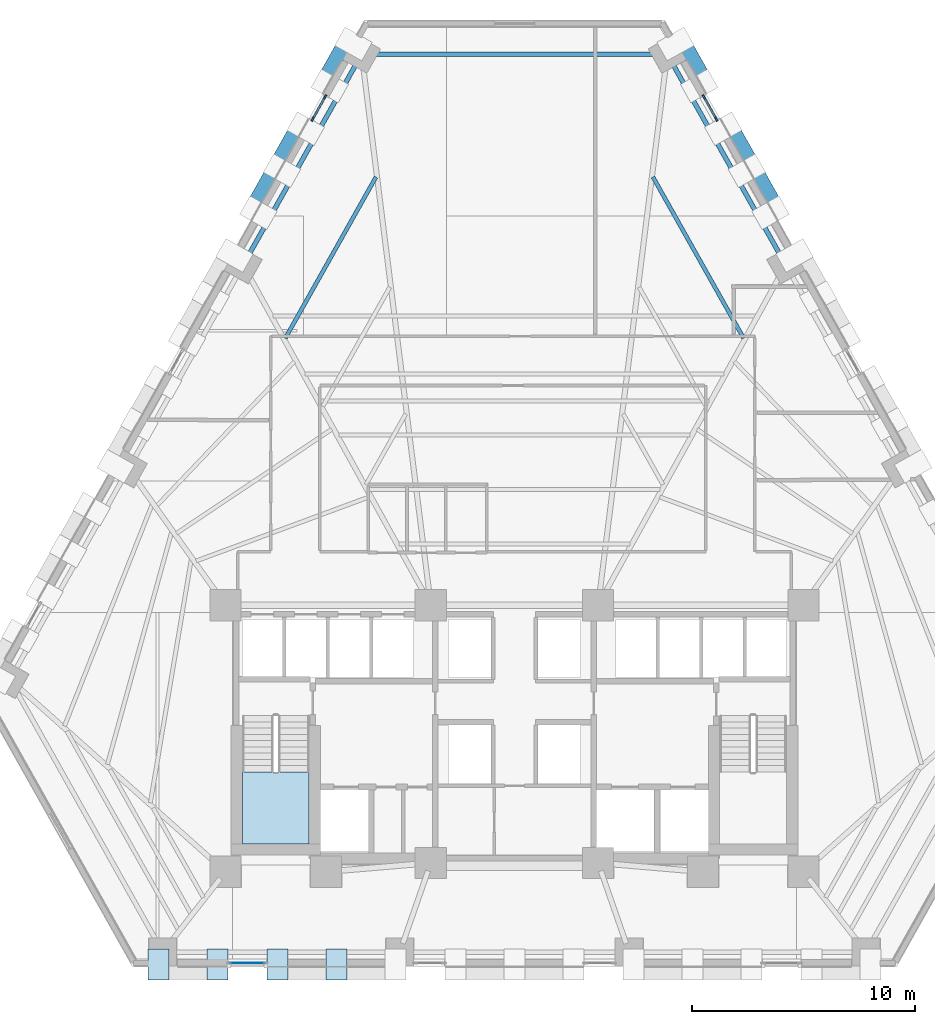
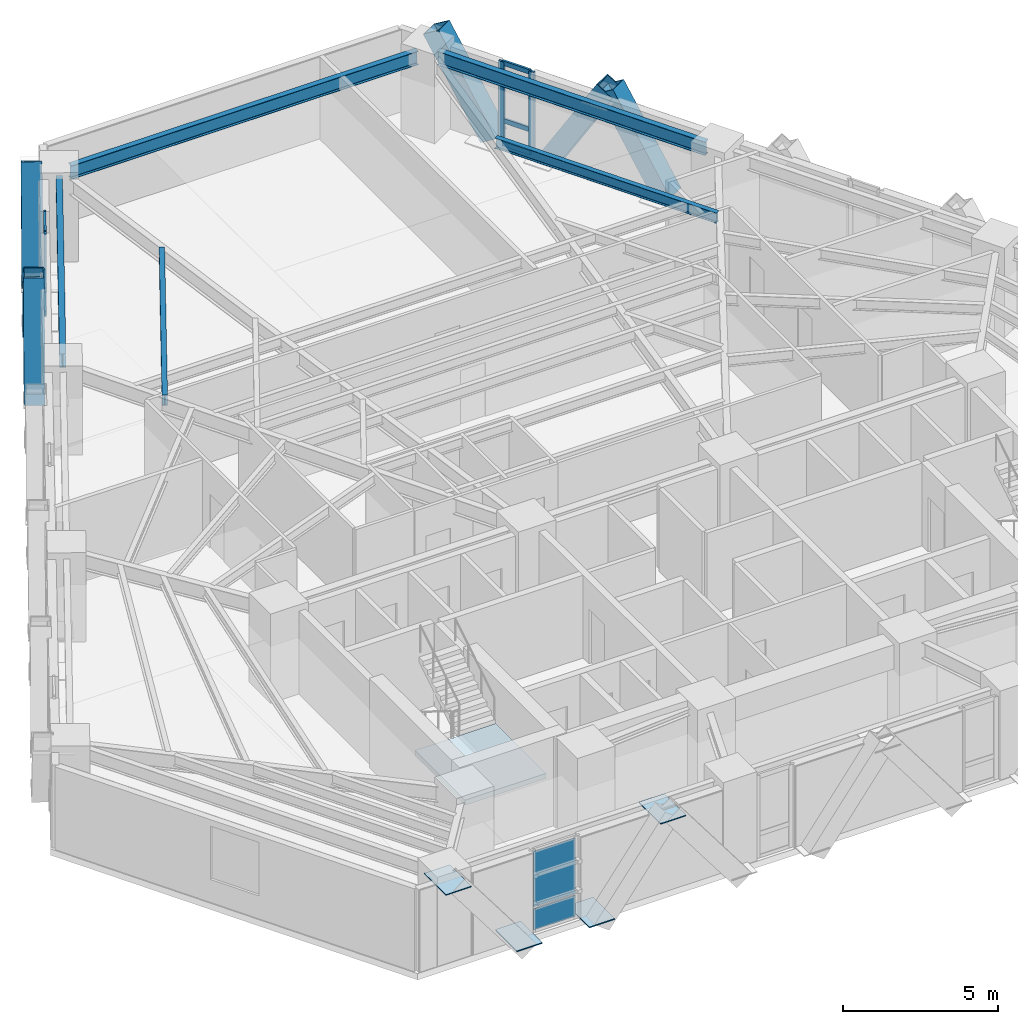
# One storey, part 5 of 13: 16 members, 6 plates, 5 beams, 1 slab, 4 elements without a shape of their own.
"""IFC4 building model written with IfcOpenShell, lengths in metres."""

from ifc_helpers import new_model, si_unit, direction, frame, origin, origin_2d, place, context, subcontext, project, spatial, polyline, rectangle, hollow_rectangle, i_section, outline, extrude, material, layer, layer_set, material_profile, profile_set, type_object, element, aggregate, save


model = new_model("IFC4")

# Units and contexts
model_context = context("Model", 3, precision=1e-05, world=origin(), true_north=direction((0.0, 1.0)))
body_context = subcontext(model_context, "Body", "Model", "MODEL_VIEW")
ifc_project = project(units=[si_unit("LENGTHUNIT", "METRE"), si_unit("AREAUNIT", "SQUARE_METRE"), si_unit("VOLUMEUNIT", "CUBIC_METRE"), si_unit("PLANEANGLEUNIT", "RADIAN"), si_unit("MASSUNIT", "GRAM", prefix="KILO")], contexts=[model_context])

# Site, building, storey
site_placement = place(None, origin())
site = spatial("IfcSite", under=ifc_project, at=site_placement, CompositionType="ELEMENT")
building_placement = place(site_placement, origin())
building = spatial("IfcBuilding", under=site, at=building_placement, Name="Quenlor Broadcast Tower", CompositionType="ELEMENT")
storey_placement = place(building_placement, frame((0.0, 0.0, 45.10009765625)))
storey = spatial("IfcBuildingStorey", under=building, at=storey_placement, Name="L11", CompositionType="ELEMENT", Elevation=45.10009765625)

# Curtain wall, members
ifc_material_1 = material(Name="Architectural Terracotta and Low-E Glazing", Category="masonry")
curtain_wall_type = type_object("IfcCurtainWallType", Name="Unitised Terracotta Curtain Wall System Z1", PredefinedType="NOTDEFINED", material=ifc_material_1)
curtain_wall_1_placement = place(storey_placement, origin())
curtain_wall_1 = element("IfcCurtainWall", 1, at=curtain_wall_1_placement, inside=storey, type_object=curtain_wall_type, Name="L11 Curtain Wall CW1 (L11-NEA-G1)", PredefinedType="NOTDEFINED")
ifc_material_2 = material(Name="Aluminium 6063-T6", Category="aluminium")
ifc_material_profile_1 = material_profile(ifc_material_2, rectangle(XDim=0.080078125, YDim=0.219970703125, at=origin_2d()))
ifc_profile_set_1 = profile_set([ifc_material_profile_1], Name="Aluminium 6063-T6 MULL80x220")
member_type_1 = type_object("IfcMemberType", Name="CW1 Aluminium Mullion MULL_CW1", PredefinedType="MULLION", material=ifc_profile_set_1)
member_1_placement = place(storey_placement, frame((8.49072265625, 17.979248046875, 0.0), z_axis=(0.0, 0.0, 1.0), x_axis=(0.871602077703, 0.490214053392, 0.0)))
member_1 = element("IfcMember", 2, at=member_1_placement, type_object=member_type_1, Name="CW1 mullion 1", PredefinedType="MULLION", context=body_context, shape_type="SweptSolid", body=[
    extrude(rectangle(XDim=0.080078125, YDim=0.219970703125, at=origin_2d()), origin(), (0.0, 0.0, 1.0), 3.25),
])
member_2_placement = place(storey_placement, frame((9.043212890625, 16.99658203125, 0.0), z_axis=(0.0, 0.0, 1.0), x_axis=(0.871602077703, 0.490214053392, 0.0)))
member_2 = element("IfcMember", 3, at=member_2_placement, type_object=member_type_1, Name="CW1 mullion 2", PredefinedType="MULLION", context=body_context, shape_type="SweptSolid", body=[
    extrude(rectangle(XDim=0.080078125, YDim=0.219970703125, at=origin_2d()), origin(), (0.0, 0.0, 1.0), 3.25),
])

curtain_wall_2_placement = place(storey_placement, origin())
curtain_wall_2 = element("IfcCurtainWall", 4, at=curtain_wall_2_placement, inside=storey, type_object=curtain_wall_type, Name="L11 Curtain Wall CW1 (L11-NWC-G1)", PredefinedType="NOTDEFINED")
member_3_placement = place(storey_placement, frame((-9.043212890625, 16.99658203125, 0.0), z_axis=(0.0, 0.0, 1.0), x_axis=(-0.871602077703, 0.490214053392, 0.0)))
member_3 = element("IfcMember", 5, at=member_3_placement, type_object=member_type_1, Name="CW1 mullion 1", PredefinedType="MULLION", context=body_context, shape_type="SweptSolid", body=[
    extrude(rectangle(XDim=0.080078125, YDim=0.219970703125, at=origin_2d()), origin(), (0.0, 0.0, 1.0), 3.25),
])
member_4_placement = place(storey_placement, frame((-8.49072265625, 17.979248046875, 0.0), z_axis=(0.0, 0.0, 1.0), x_axis=(-0.871602077703, 0.490214053392, 0.0)))
member_4 = element("IfcMember", 6, at=member_4_placement, type_object=member_type_1, Name="CW1 mullion 2", PredefinedType="MULLION", context=body_context, shape_type="SweptSolid", body=[
    extrude(rectangle(XDim=0.080078125, YDim=0.219970703125, at=origin_2d()), origin(), (0.0, 0.0, 1.0), 3.25),
])

# Member
ifc_material_3 = material(Name="Aluminium 6063-T6", Category="aluminium")
ifc_material_profile_2 = material_profile(ifc_material_3, rectangle(XDim=0.080078125, YDim=0.179931640625, at=origin_2d()))
ifc_profile_set_2 = profile_set([ifc_material_profile_2], Name="Aluminium 6063-T6 TRAN80x180")
member_type_2 = type_object("IfcMemberType", Name="CW1 Aluminium Transom TRAN_CW1", PredefinedType="USERDEFINED", material=ifc_profile_set_2)
member_5_placement = place(storey_placement, frame((8.51025390625, 17.9443359375, 0.039794921875), z_axis=(0.490228036821, -0.871594212874, 0.0), x_axis=(0.871594212874, 0.490228036821, 0.0)))
member_5 = element("IfcMember", 7, at=member_5_placement, type_object=member_type_2, Name="CW1 transom 1.1", ObjectType="TRANSOM", PredefinedType="USERDEFINED", context=body_context, shape_type="SweptSolid", body=[
    extrude(rectangle(XDim=0.080078125, YDim=0.179931640625, at=origin_2d()), origin(), (0.0, 0.0, 1.0), 1.04736328125),
])

member_6_placement = place(storey_placement, frame((8.51025390625, 17.9443359375, 0.949951171875), z_axis=(0.490228036821, -0.871594212874, 0.0), x_axis=(0.871594212874, 0.490228036821, 0.0)))
member_6 = element("IfcMember", 8, at=member_6_placement, type_object=member_type_2, Name="CW1 transom 1.2", ObjectType="TRANSOM", PredefinedType="USERDEFINED", context=body_context, shape_type="SweptSolid", body=[
    extrude(rectangle(XDim=0.080078125, YDim=0.179931640625, at=origin_2d()), origin(), (0.0, 0.0, 1.0), 1.04736328125),
])

member_7_placement = place(storey_placement, frame((8.51025390625, 17.9443359375, 3.2099609375), z_axis=(0.490228036821, -0.871594212874, 0.0), x_axis=(0.871594212874, 0.490228036821, 0.0)))
member_7 = element("IfcMember", 9, at=member_7_placement, type_object=member_type_2, Name="CW1 transom 1.3", ObjectType="TRANSOM", PredefinedType="USERDEFINED", context=body_context, shape_type="SweptSolid", body=[
    extrude(rectangle(XDim=0.080078125, YDim=0.179931640625, at=origin_2d()), origin(), (0.0, 0.0, 1.0), 1.04736328125),
])

aggregate(curtain_wall_1, [member_1, member_2, member_5, member_6, member_7])

member_8_placement = place(storey_placement, frame((-9.023681640625, 17.031494140625, 0.039794921875), z_axis=(0.490228036821, 0.871594212874, 0.0), x_axis=(-0.871594212874, 0.490228036821, 0.0)))
member_8 = element("IfcMember", 10, at=member_8_placement, type_object=member_type_2, Name="CW1 transom 1.1", ObjectType="TRANSOM", PredefinedType="USERDEFINED", context=body_context, shape_type="SweptSolid", body=[
    extrude(rectangle(XDim=0.080078125, YDim=0.179931640625, at=origin_2d()), origin(), (0.0, 0.0, 1.0), 1.04736328125),
])

member_9_placement = place(storey_placement, frame((-9.023681640625, 17.031494140625, 0.949951171875), z_axis=(0.490228036821, 0.871594212874, 0.0), x_axis=(-0.871594212874, 0.490228036821, 0.0)))
member_9 = element("IfcMember", 11, at=member_9_placement, type_object=member_type_2, Name="CW1 transom 1.2", ObjectType="TRANSOM", PredefinedType="USERDEFINED", context=body_context, shape_type="SweptSolid", body=[
    extrude(rectangle(XDim=0.080078125, YDim=0.179931640625, at=origin_2d()), origin(), (0.0, 0.0, 1.0), 1.04736328125),
])

member_10_placement = place(storey_placement, frame((-9.023681640625, 17.031494140625, 3.2099609375), z_axis=(0.490228036821, 0.871594212874, 0.0), x_axis=(-0.871594212874, 0.490228036821, 0.0)))
member_10 = element("IfcMember", 12, at=member_10_placement, type_object=member_type_2, Name="CW1 transom 1.3", ObjectType="TRANSOM", PredefinedType="USERDEFINED", context=body_context, shape_type="SweptSolid", body=[
    extrude(rectangle(XDim=0.080078125, YDim=0.179931640625, at=origin_2d()), origin(), (0.0, 0.0, 1.0), 1.04736328125),
])

aggregate(curtain_wall_2, [member_3, member_4, member_8, member_9, member_10])

# Members
ifc_material_4 = material(Name="Steel S355", Category="steel")
ifc_material_profile_3 = material_profile(ifc_material_4, hollow_rectangle(XDim=0.679931640625, YDim=0.679931640625, WallThickness=0.034912109375, at=origin_2d()))
ifc_profile_set_3 = profile_set([ifc_material_profile_3], Name="Steel S355 RHS680x680x35")
member_type_3 = type_object("IfcMemberType", Name="Perimeter Diagonal Lattice Brace Z1 Steel S355 RHS680x35", PredefinedType="BRACE", material=ifc_profile_set_3)
for number, where, z_axis, x_axis, name in (
    (13, (9.650390625, 16.722900390625, -0.1201171875), (0.256375341489, -0.45579159737, 0.852364771705), (0.871581609758, 0.490250443683, 0.0), "L11 Perimeter Diamond Lattice NE-C1S"),
    (14, (8.572021484375, 18.64013671875, -0.1201171875), (-0.256375341489, 0.45579159737, 0.852364771705), (-0.871581609758, -0.490250443683, 0.0), "L11 Perimeter Diamond Lattice NE-C1B"),
    (15, (11.768798828125, 12.95703125, -0.1201171875), (-0.256375341489, 0.45579159737, 0.852364771705), (-0.871581609758, -0.490250443683, 0.0), "L11 Perimeter Diamond Lattice NE-C2B"),
    (16, (-11.768798828125, 12.95703125, -0.1201171875), (0.256375341489, 0.45579159737, 0.852364771705), (-0.871581609758, 0.490250443683, 0.0), "L11 Perimeter Diamond Lattice NW-C4S"),
    (17, (-8.572021484375, 18.64013671875, -0.1201171875), (0.256375341489, 0.45579159737, 0.852364771705), (-0.871581609758, 0.490250443683, 0.0), "L11 Perimeter Diamond Lattice NW-C5S"),
    (18, (-9.650390625, 16.722900390625, -0.1201171875), (-0.256375341489, -0.45579159737, 0.852364771705), (0.871581609758, -0.490250443683, 0.0), "L11 Perimeter Diamond Lattice NW-C5B"),
):
    element("IfcMember", number, at=place(storey_placement, frame(where, z_axis=z_axis, x_axis=x_axis)), inside=storey, type_object=member_type_3, Name=name, PredefinedType="BRACE", context=body_context, shape_type="SweptSolid", body=[
        extrude(hollow_rectangle(XDim=0.679931640625, YDim=0.679931640625, WallThickness=0.034912109375, at=origin_2d()), origin(), (0.0, 0.0, 1.0), 4.106201171875),
    ])

# Beams
ifc_material_5 = material(Name="Steel S355", Category="steel")
ifc_material_profile_4 = material_profile(ifc_material_5, i_section(OverallWidth=0.208984375, OverallDepth=0.532958984375, WebThickness=0.01025390625, FlangeThickness=0.015625, FilletRadius=0.013916015625, at=origin_2d()))
ifc_profile_set_4 = profile_set([ifc_material_profile_4], Name="Steel S355 530UB92.4")
beam_type_1 = type_object("IfcBeamType", Name="Perimeter Spandrel Beam Z1 Steel S355 530UB92.4", PredefinedType="SPANDREL", material=ifc_profile_set_4)
beam_1_placement = place(storey_placement, frame((11.962158203125, 10.80810546875, 2.9833984375), z_axis=(-0.490257767622, 0.871577490121, 0.0), x_axis=(-0.871577490121, -0.490257767622, 0.0)))
element("IfcBeam", 19, at=beam_1_placement, inside=storey, type_object=beam_type_1, Name="L11 Spandrel Beam NE3-NE4", PredefinedType="SPANDREL", context=body_context, shape_type="SweptSolid", body=[
    extrude(i_section(OverallWidth=0.208984375, OverallDepth=0.532958984375, WebThickness=0.01025390625, FlangeThickness=0.015625, FilletRadius=0.013916015625, at=origin_2d()), origin(), (0.0, 0.0, 1.0), 10.015380859375),
])
beam_2_placement = place(storey_placement, frame((6.44091796875, 19.894775390625, 2.9833984375), z_axis=(-1.0, 0.0, 0.0), x_axis=(0.0, -1.0, 0.0)))
element("IfcBeam", 20, at=beam_2_placement, inside=storey, type_object=beam_type_1, Name="L11 Spandrel Beam NE4-NW1", PredefinedType="SPANDREL", context=body_context, shape_type="SweptSolid", body=[
    extrude(i_section(OverallWidth=0.208984375, OverallDepth=0.532958984375, WebThickness=0.01025390625, FlangeThickness=0.015625, FilletRadius=0.013916015625, at=origin_2d()), origin(), (0.0, 0.0, 1.0), 12.8818359375),
])
beam_3_placement = place(storey_placement, frame((-7.052001953125, 19.537353515625, 2.9833984375), z_axis=(-0.490257767622, -0.871577490121, 0.0), x_axis=(0.871577490121, -0.490257767622, 0.0)))
element("IfcBeam", 21, at=beam_3_placement, inside=storey, type_object=beam_type_1, Name="L11 Spandrel Beam NW1-NW2", PredefinedType="SPANDREL", context=body_context, shape_type="SweptSolid", body=[
    extrude(i_section(OverallWidth=0.208984375, OverallDepth=0.532958984375, WebThickness=0.01025390625, FlangeThickness=0.015625, FilletRadius=0.013916015625, at=origin_2d()), origin(), (0.0, 0.0, 1.0), 10.015380859375),
])
ifc_material_6 = material(Name="Steel S355", Category="steel")
ifc_material_profile_5 = material_profile(ifc_material_6, i_section(OverallWidth=0.177978515625, OverallDepth=0.406494140625, WebThickness=0.0078125, FlangeThickness=0.0126953125, FilletRadius=0.011474609375, at=origin_2d()))
ifc_profile_set_5 = profile_set([ifc_material_profile_5], Name="Steel S355 410UB59.7")
beam_type_2 = type_object("IfcBeamType", Name="Tower Composite Joist Z1 Steel S355 410UB59.7", PredefinedType="JOIST", material=ifc_profile_set_5)
for number, where, z_axis, x_axis, name in (
    (22, (-6.2080078125, 14.39208984375, 3.046630859375), (-0.490248658014, -0.871582614166, 0.0), (0.871582614166, -0.490248658014, 0.0), "L11 Secondary Composite Joist 27"),
    (23, (6.2080078125, 14.39208984375, 3.046630859375), (0.490248658014, -0.871582614166, 0.0), (0.871582614166, 0.490248658014, 0.0), "L11 Secondary Composite Joist 30"),
):
    element("IfcBeam", number, at=place(storey_placement, frame(where, z_axis=z_axis, x_axis=x_axis)), inside=storey, type_object=beam_type_2, Name=name, PredefinedType="JOIST", context=body_context, shape_type="SweptSolid", body=[
        extrude(i_section(OverallWidth=0.177978515625, OverallDepth=0.406494140625, WebThickness=0.0078125, FlangeThickness=0.0126953125, FilletRadius=0.011474609375, at=origin_2d()), origin(), (0.0, 0.0, 1.0), 8.29150390625),
    ])

# Curtain wall, plates
curtain_wall_3_placement = place(storey_placement, origin())
curtain_wall_3 = element("IfcCurtainWall", 24, at=curtain_wall_3_placement, inside=storey, type_object=curtain_wall_type, Name="L11 Curtain Wall CW1 (L11-SC-G1)", PredefinedType="NOTDEFINED")
ifc_material_7 = material(Name="Double Glazed Low-E Solar Glass", Category="glass")
ifc_layer_1 = layer(ifc_material_7, 0.031982421875)
ifc_layer_set_1 = layer_set([ifc_layer_1], Name="CW1 Double Glazed Vision Panel 32")
plate_type_1 = type_object("IfcPlateType", Name="CW1 Double Glazed Vision Panel 32", PredefinedType="CURTAIN_PANEL", material=ifc_layer_set_1)
plate_1_placement = place(storey_placement, frame((-11.970703125, -20.840087890625, 0.079833984375), z_axis=(0.0, 0.0, 1.0), x_axis=(-1.0, 0.0, 0.0)))
plate_1 = element("IfcPlate", 25, at=plate_1_placement, type_object=plate_type_1, Name="CW1 panel 1.1", PredefinedType="CURTAIN_PANEL", context=body_context, shape_type="SweptSolid", body=[
    extrude(rectangle(XDim=1.568359375, YDim=0.031982421875, at=origin_2d()), origin(), (0.0, 0.0, 1.0), 0.830078125),
])
plate_2_placement = place(storey_placement, frame((-11.970703125, -20.840087890625, 0.98974609375), z_axis=(0.0, 0.0, 1.0), x_axis=(-1.0, 0.0, 0.0)))
plate_2 = element("IfcPlate", 26, at=plate_2_placement, type_object=plate_type_1, Name="CW1 panel 1.2", PredefinedType="CURTAIN_PANEL", context=body_context, shape_type="SweptSolid", body=[
    extrude(rectangle(XDim=1.568359375, YDim=0.031982421875, at=origin_2d()), origin(), (0.0, 0.0, 1.0), 2.179931640625),
])
aggregate(curtain_wall_3, [plate_1, plate_2])

# Stair, slab
ifc_material_8 = material(Name="Precast concrete C40/50", Category="concrete")
stair_type = type_object("IfcStairType", Name="Precast Concrete C40/50 Dogleg Stair H350", PredefinedType="HALF_TURN_STAIR", material=ifc_material_8)
stair_placement = place(storey_placement, origin())
stair = element("IfcStair", 27, at=stair_placement, inside=storey, type_object=stair_type, Name="L11 West Core Fire-Isolated Exit Stair ST-1", PredefinedType="HALF_TURN_STAIR")
ifc_material_9 = material(Name="Precast concrete C40/50", Category="concrete")
ifc_layer_2 = layer(ifc_material_9, 0.199951171875)
ifc_layer_set_2 = layer_set([ifc_layer_2], Name="Precast Concrete C40/50 Stair Landing Slab 200")
slab_type = type_object("IfcSlabType", Name="Precast Concrete C40/50 Stair Landing Slab 200", PredefinedType="LANDING", material=ifc_layer_set_2)
slab_placement = place(storey_placement, frame((0.0, 0.0, 1.5498046875)))
slab = element("IfcSlab", 28, at=slab_placement, type_object=slab_type, Name="ST-1 landing 1", PredefinedType="LANDING", context=body_context, shape_type="SweptSolid", body=[
    extrude(outline(polyline([(-12.199951171875, -12.27001953125), (-12.199951171875, -15.5), (-9.199951171875, -15.5), (-9.199951171875, -12.27001953125), (-12.199951171875, -12.27001953125)])), origin(), (0.0, 0.0, 1.0), 0.2001953125),
])
aggregate(stair, [slab])

# Plates
ifc_material_10 = material(Name="Steel S355", Category="steel")
ifc_layer_3 = layer(ifc_material_10, 0.035888671875)
ifc_layer_set_3 = layer_set([ifc_layer_3], Name="Transfer Truss Steel S355 Gusset Node Plate 1400x950x36")
plate_type_2 = type_object("IfcPlateType", Name="Transfer Truss Steel S355 Gusset Node Plate 1400x950x36", PredefinedType="SHEET", material=ifc_layer_set_3)
for number, where, z_axis, x_axis, name in (
    (29, (-7.98046875, -20.89990234375, 3.18212890625), (0.0, 0.0, 1.0), (0.0, -1.0, 0.0), "L11 Lattice Tie Gusset Node S-T9"),
    (30, (-13.31689453125, -20.89990234375, 0.0419921875), (0.0, 0.0, 1.0), (0.0, -1.0, 0.0), "L11 Lattice Tie Gusset Node S-B11"),
    (31, (-15.9609375, -20.89990234375, 3.18212890625), (0.0, 0.0, 1.0), (0.0, -1.0, 0.0), "L11 Lattice Tie Gusset Node S-T12"),
    (32, (-10.624755859375, -20.89990234375, 0.0419921875), (0.0, 0.0, 1.0), (0.0, -1.0, 0.0), "L11 Lattice Tie Gusset Node S-B10"),
):
    element("IfcPlate", number, at=place(storey_placement, frame(where, z_axis=z_axis, x_axis=x_axis)), inside=storey, type_object=plate_type_2, Name=name, PredefinedType="SHEET", context=body_context, shape_type="SweptSolid", body=[
        extrude(rectangle(XDim=1.39990234375, YDim=0.949951171875, at=origin_2d()), origin(), (0.0, 0.0, 1.0), 0.035888671875),
    ])

save(model, "model.ifc")
